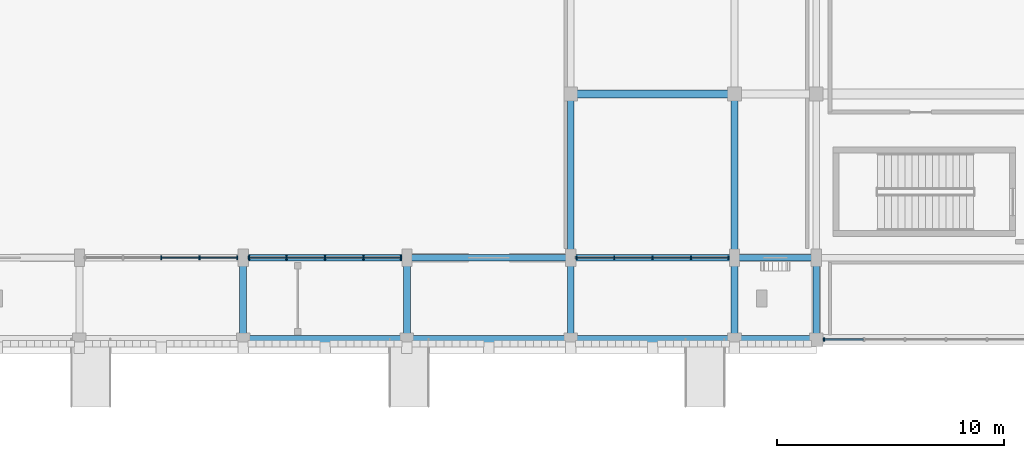
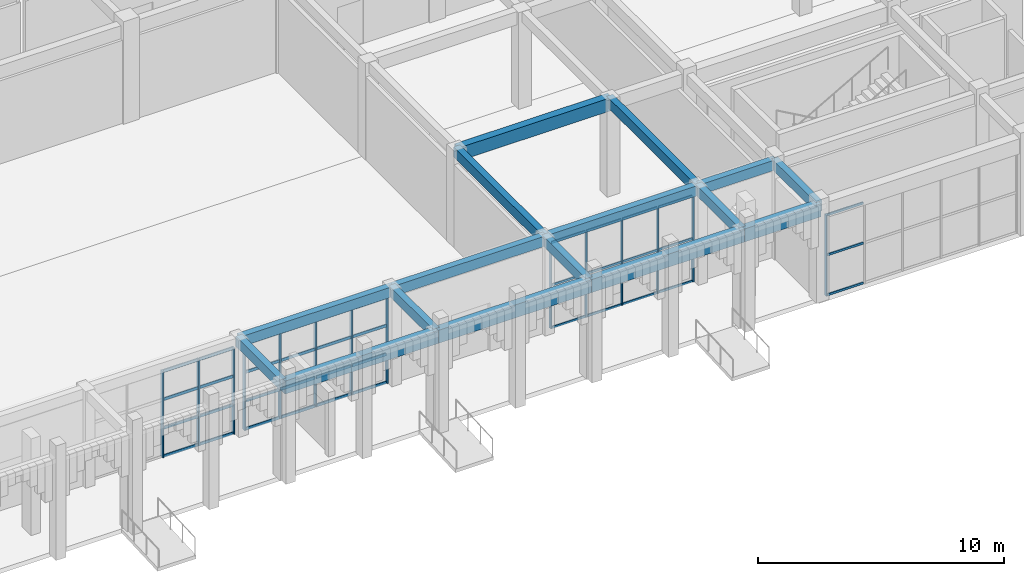
# One storey, part 17 of 72: 53 members, 16 beams, 4 elements without a shape of their own.
"""IFC4 building model written with IfcOpenShell, lengths in metres."""

from ifc_helpers import new_model, si_unit, direction, frame, origin, origin_2d, place, context, subcontext, project, spatial, rectangle, extrude, material, material_profile, profile_set, type_object, element, aggregate, save


model = new_model("IFC4")

# Units and contexts
model_context = context("Model", 3, precision=1e-05, world=origin(), true_north=direction((0.0, 1.0)))
body_context = subcontext(model_context, "Body", "Model", "MODEL_VIEW")
ifc_project = project(units=[si_unit("LENGTHUNIT", "METRE"), si_unit("AREAUNIT", "SQUARE_METRE"), si_unit("VOLUMEUNIT", "CUBIC_METRE"), si_unit("PLANEANGLEUNIT", "RADIAN"), si_unit("MASSUNIT", "GRAM", prefix="KILO")], contexts=[model_context])

# Site, building, storey
site_placement = place(None, origin())
site = spatial("IfcSite", under=ifc_project, at=site_placement, CompositionType="ELEMENT")
building_placement = place(site_placement, origin())
building = spatial("IfcBuilding", under=site, at=building_placement, Name="Nzembalo Square Collegiate School", CompositionType="ELEMENT")
storey_placement = place(building_placement, origin())
storey = spatial("IfcBuildingStorey", under=building, at=storey_placement, Name="L00", CompositionType="ELEMENT", Elevation=0.0)

# Beams
ifc_material_1 = material(Name="Concrete C35/45", Category="concrete")
ifc_material_profile_1 = material_profile(ifc_material_1, rectangle(XDim=0.35009765625, YDim=0.64990234375, at=origin_2d()), Name="RC 350x650")
ifc_profile_set_1 = profile_set([ifc_material_profile_1], Name="Concrete C35/45")
beam_type_1 = type_object("IfcBeamType", Name="B01", PredefinedType="BEAM", material=ifc_profile_set_1)
for number, where, z_axis, x_axis, name in (
    (1, (105.60009765625, 79.199951171875, 4.465087890625), (1.0, 0.0, 0.0), (0.0, 1.0, 0.0), "Beam B01 L00"),
    (2, (112.800048828125, 79.199951171875, 4.465087890625), (1.0, 0.0, 0.0), (0.0, 1.0, 0.0), "Beam B01 L00"),
    (3, (120.0, 79.199951171875, 4.465087890625), (1.0, 0.0, 0.0), (0.0, 1.0, 0.0), "Beam B01 L00"),
):
    element("IfcBeam", number, at=place(storey_placement, frame(where, z_axis=z_axis, x_axis=x_axis)), inside=storey, type_object=beam_type_1, Name=name, PredefinedType="BEAM", context=body_context, shape_type="SweptSolid", body=[
        extrude(rectangle(XDim=0.35009765625, YDim=0.64990234375, at=origin_2d()), origin(), (0.0, 0.0, 1.0), 7.199951171875),
    ])
beam_1_placement = place(storey_placement, frame((127.199951171875, 79.199951171875, 4.465087890625), z_axis=(1.0, 0.0, 0.0), x_axis=(0.0, 1.0, 0.0)))
element("IfcBeam", 4, at=beam_1_placement, inside=storey, type_object=beam_type_1, Name="Beam B01 L00", PredefinedType="BEAM", context=body_context, shape_type="SweptSolid", body=[
    extrude(rectangle(XDim=0.35009765625, YDim=0.64990234375, at=origin_2d()), origin(), (0.0, 0.0, 1.0), 3.60009765625),
])
beam_2_placement = place(storey_placement, frame((120.0, 90.0, 4.465087890625), z_axis=(1.0, 0.0, 0.0), x_axis=(0.0, 1.0, 0.0)))
element("IfcBeam", 5, at=beam_2_placement, inside=storey, type_object=beam_type_1, Name="Beam B01 L00", PredefinedType="BEAM", context=body_context, shape_type="SweptSolid", body=[
    extrude(rectangle(XDim=0.35009765625, YDim=0.64990234375, at=origin_2d()), origin(), (0.0, 0.0, 1.0), 7.199951171875),
])
ifc_material_2 = material(Name="Concrete C35/45", Category="concrete")
ifc_material_profile_2 = material_profile(ifc_material_2, rectangle(XDim=0.300048828125, YDim=0.5, at=origin_2d()), Name="RC 300x500")
ifc_profile_set_2 = profile_set([ifc_material_profile_2], Name="Concrete C35/45")
beam_type_2 = type_object("IfcBeamType", Name="B02", PredefinedType="BEAM", material=ifc_profile_set_2)
for number, where, z_axis, x_axis, name in (
    (6, (105.60009765625, 79.199951171875, 4.5400390625), (0.0, 1.0, 0.0), (-1.0, 0.0, 0.0), "Beam B02 L00"),
    (7, (112.800048828125, 79.199951171875, 4.5400390625), (0.0, 1.0, 0.0), (-1.0, 0.0, 0.0), "Beam B02 L00"),
    (8, (120.0, 79.199951171875, 4.5400390625), (0.0, 1.0, 0.0), (-1.0, 0.0, 0.0), "Beam B02 L00"),
):
    element("IfcBeam", number, at=place(storey_placement, frame(where, z_axis=z_axis, x_axis=x_axis)), inside=storey, type_object=beam_type_2, Name=name, PredefinedType="BEAM", context=body_context, shape_type="SweptSolid", body=[
        extrude(rectangle(XDim=0.300048828125, YDim=0.5, at=origin_2d()), origin(), (0.0, 0.0, 1.0), 3.60009765625),
    ])
beam_3_placement = place(storey_placement, frame((120.0, 82.800048828125, 4.5400390625), z_axis=(0.0, 1.0, 0.0), x_axis=(-1.0, 0.0, 0.0)))
element("IfcBeam", 9, at=beam_3_placement, inside=storey, type_object=beam_type_2, Name="Beam B02 L00", PredefinedType="BEAM", context=body_context, shape_type="SweptSolid", body=[
    extrude(rectangle(XDim=0.300048828125, YDim=0.5, at=origin_2d()), origin(), (0.0, 0.0, 1.0), 7.199951171875),
])
beam_4_placement = place(storey_placement, frame((127.199951171875, 79.199951171875, 4.5400390625), z_axis=(0.0, 1.0, 0.0), x_axis=(-1.0, 0.0, 0.0)))
element("IfcBeam", 10, at=beam_4_placement, inside=storey, type_object=beam_type_2, Name="Beam B02 L00", PredefinedType="BEAM", context=body_context, shape_type="SweptSolid", body=[
    extrude(rectangle(XDim=0.300048828125, YDim=0.5, at=origin_2d()), origin(), (0.0, 0.0, 1.0), 3.60009765625),
])
beam_5_placement = place(storey_placement, frame((127.199951171875, 82.800048828125, 4.5400390625), z_axis=(0.0, 1.0, 0.0), x_axis=(-1.0, 0.0, 0.0)))
element("IfcBeam", 11, at=beam_5_placement, inside=storey, type_object=beam_type_2, Name="Beam B02 L00", PredefinedType="BEAM", context=body_context, shape_type="SweptSolid", body=[
    extrude(rectangle(XDim=0.300048828125, YDim=0.5, at=origin_2d()), origin(), (0.0, 0.0, 1.0), 7.199951171875),
])
ifc_material_3 = material(Name="Concrete C35/45", Category="concrete")
ifc_material_profile_3 = material_profile(ifc_material_3, rectangle(XDim=0.300048828125, YDim=0.5, at=origin_2d()), Name="RC 300x500")
ifc_profile_set_3 = profile_set([ifc_material_profile_3], Name="Concrete C35/45")
beam_type_3 = type_object("IfcBeamType", Name="SP01", PredefinedType="SPANDREL", material=ifc_profile_set_3)
for number, where, z_axis, x_axis, name in (
    (12, (105.60009765625, 82.800048828125, 4.5400390625), (1.0, 0.0, 0.0), (0.0, 1.0, 0.0), "Beam SP01 L00"),
    (13, (112.800048828125, 82.800048828125, 4.5400390625), (1.0, 0.0, 0.0), (0.0, 1.0, 0.0), "Beam SP01 L00"),
    (14, (120.0, 82.800048828125, 4.5400390625), (1.0, 0.0, 0.0), (0.0, 1.0, 0.0), "Beam SP01 L00"),
):
    element("IfcBeam", number, at=place(storey_placement, frame(where, z_axis=z_axis, x_axis=x_axis)), inside=storey, type_object=beam_type_3, Name=name, PredefinedType="SPANDREL", context=body_context, shape_type="SweptSolid", body=[
        extrude(rectangle(XDim=0.300048828125, YDim=0.5, at=origin_2d()), origin(), (0.0, 0.0, 1.0), 7.199951171875),
    ])
for number, where, z_axis, x_axis, name in (
    (15, (127.199951171875, 82.800048828125, 4.5400390625), (1.0, 0.0, 0.0), (0.0, 1.0, 0.0), "Beam SP01 L00"),
    (16, (130.800048828125, 79.199951171875, 4.5400390625), (0.0, 1.0, 0.0), (-1.0, 0.0, 0.0), "Beam SP01 L00"),
):
    element("IfcBeam", number, at=place(storey_placement, frame(where, z_axis=z_axis, x_axis=x_axis)), inside=storey, type_object=beam_type_3, Name=name, PredefinedType="SPANDREL", context=body_context, shape_type="SweptSolid", body=[
        extrude(rectangle(XDim=0.300048828125, YDim=0.5, at=origin_2d()), origin(), (0.0, 0.0, 1.0), 3.60009765625),
    ])

# Curtain wall, members
ifc_material_4 = material(Name="Aluminium 6060-T66", Category="aluminium")
curtain_wall_type_1 = type_object("IfcCurtainWallType", Name="CW-01", PredefinedType="USERDEFINED", material=ifc_material_4)
curtain_wall_1_placement = place(storey_placement, origin())
curtain_wall_1 = element("IfcCurtainWall", 17, at=curtain_wall_1_placement, inside=storey, type_object=curtain_wall_type_1, Name="Curtain wall CW-01 cw:L00:032", ObjectType="UNITISED", PredefinedType="USERDEFINED")
ifc_material_5 = material(Name="Aluminium 6060-T66", Category="aluminium")
ifc_material_profile_4 = material_profile(ifc_material_5, rectangle(XDim=0.06005859375, YDim=0.179931640625, at=origin_2d()), Name="ALU M60x180")
ifc_profile_set_4 = profile_set([ifc_material_profile_4], Name="Aluminium 6060-T66")
member_type_1 = type_object("IfcMemberType", Name="ML01", PredefinedType="MULLION", material=ifc_profile_set_4)
member_1_placement = place(storey_placement, frame((102.0, 82.800048828125, 0.0), z_axis=(0.0, 0.0, 1.0), x_axis=(1.0, 0.0, 0.0)))
member_1 = element("IfcMember", 18, at=member_1_placement, type_object=member_type_1, Name="ML01 mullion 3", PredefinedType="MULLION", context=body_context, shape_type="SweptSolid", body=[
    extrude(rectangle(XDim=0.06005859375, YDim=0.179931640625, at=origin_2d()), origin(), (0.0, 0.0, 1.0), 4.283935546875),
])
member_2_placement = place(storey_placement, frame((103.6865234375, 82.800048828125, 0.0), z_axis=(0.0, 0.0, 1.0), x_axis=(1.0, 0.0, 0.0)))
member_2 = element("IfcMember", 19, at=member_2_placement, type_object=member_type_1, Name="ML01 mullion 4", PredefinedType="MULLION", context=body_context, shape_type="SweptSolid", body=[
    extrude(rectangle(XDim=0.06005859375, YDim=0.179931640625, at=origin_2d()), origin(), (0.0, 0.0, 1.0), 4.283935546875),
])
member_3_placement = place(storey_placement, frame((105.343017578125, 82.800048828125, 0.0), z_axis=(0.0, 0.0, 1.0), x_axis=(1.0, 0.0, 0.0)))
member_3 = element("IfcMember", 20, at=member_3_placement, type_object=member_type_1, Name="ML01 mullion 5", PredefinedType="MULLION", context=body_context, shape_type="SweptSolid", body=[
    extrude(rectangle(XDim=0.06005859375, YDim=0.179931640625, at=origin_2d()), origin(), (0.0, 0.0, 1.0), 4.283935546875),
])

ifc_material_6 = material(Name="Aluminium 6060-T66", Category="aluminium")
curtain_wall_type_2 = type_object("IfcCurtainWallType", Name="CW-02", PredefinedType="USERDEFINED", material=ifc_material_6)
curtain_wall_2_placement = place(storey_placement, origin())
curtain_wall_2 = element("IfcCurtainWall", 21, at=curtain_wall_2_placement, inside=storey, type_object=curtain_wall_type_2, Name="Curtain wall CW-02 cw:L00:033", ObjectType="UNITISED", PredefinedType="USERDEFINED")
member_4_placement = place(storey_placement, frame((105.85693359375, 82.800048828125, 0.0), z_axis=(0.0, 0.0, 1.0), x_axis=(1.0, 0.0, 0.0)))
member_4 = element("IfcMember", 22, at=member_4_placement, type_object=member_type_1, Name="ML01 mullion 1", PredefinedType="MULLION", context=body_context, shape_type="SweptSolid", body=[
    extrude(rectangle(XDim=0.06005859375, YDim=0.179931640625, at=origin_2d()), origin(), (0.0, 0.0, 1.0), 4.283935546875),
])
member_5_placement = place(storey_placement, frame((107.513427734375, 82.800048828125, 0.0), z_axis=(0.0, 0.0, 1.0), x_axis=(1.0, 0.0, 0.0)))
member_5 = element("IfcMember", 23, at=member_5_placement, type_object=member_type_1, Name="ML01 mullion 2", PredefinedType="MULLION", context=body_context, shape_type="SweptSolid", body=[
    extrude(rectangle(XDim=0.06005859375, YDim=0.179931640625, at=origin_2d()), origin(), (0.0, 0.0, 1.0), 4.283935546875),
])
member_6_placement = place(storey_placement, frame((109.199951171875, 82.800048828125, 0.0), z_axis=(0.0, 0.0, 1.0), x_axis=(1.0, 0.0, 0.0)))
member_6 = element("IfcMember", 24, at=member_6_placement, type_object=member_type_1, Name="ML01 mullion 3", PredefinedType="MULLION", context=body_context, shape_type="SweptSolid", body=[
    extrude(rectangle(XDim=0.06005859375, YDim=0.179931640625, at=origin_2d()), origin(), (0.0, 0.0, 1.0), 4.283935546875),
])
member_7_placement = place(storey_placement, frame((110.886474609375, 82.800048828125, 0.0), z_axis=(0.0, 0.0, 1.0), x_axis=(1.0, 0.0, 0.0)))
member_7 = element("IfcMember", 25, at=member_7_placement, type_object=member_type_1, Name="ML01 mullion 4", PredefinedType="MULLION", context=body_context, shape_type="SweptSolid", body=[
    extrude(rectangle(XDim=0.06005859375, YDim=0.179931640625, at=origin_2d()), origin(), (0.0, 0.0, 1.0), 4.283935546875),
])
member_8_placement = place(storey_placement, frame((112.54296875, 82.800048828125, 0.0), z_axis=(0.0, 0.0, 1.0), x_axis=(1.0, 0.0, 0.0)))
member_8 = element("IfcMember", 26, at=member_8_placement, type_object=member_type_1, Name="ML01 mullion 5", PredefinedType="MULLION", context=body_context, shape_type="SweptSolid", body=[
    extrude(rectangle(XDim=0.06005859375, YDim=0.179931640625, at=origin_2d()), origin(), (0.0, 0.0, 1.0), 4.283935546875),
])

# Curtain wall, member
ifc_material_7 = material(Name="Aluminium 6060-T66", Category="aluminium")
curtain_wall_type_3 = type_object("IfcCurtainWallType", Name="CW-11", PredefinedType="USERDEFINED", material=ifc_material_7)
curtain_wall_3_placement = place(storey_placement, origin())
curtain_wall_3 = element("IfcCurtainWall", 27, at=curtain_wall_3_placement, inside=storey, type_object=curtain_wall_type_3, Name="Curtain wall CW-11 cw:L00:022", ObjectType="LANCET", PredefinedType="USERDEFINED")
ifc_material_8 = material(Name="Aluminium 6060-T66", Category="aluminium")
ifc_material_profile_5 = material_profile(ifc_material_8, rectangle(XDim=0.06005859375, YDim=0.14990234375, at=origin_2d()), Name="ALU M60x150")
ifc_profile_set_5 = profile_set([ifc_material_profile_5], Name="Aluminium 6060-T66")
member_type_2 = type_object("IfcMemberType", Name="ML02", PredefinedType="MULLION", material=ifc_profile_set_5)
member_9_placement = place(storey_placement, frame((131.132080078125, 79.199951171875, 0.0), z_axis=(0.0, 0.0, 1.0), x_axis=(1.0, 0.0, 0.0)))
member_9 = element("IfcMember", 28, at=member_9_placement, type_object=member_type_2, Name="ML02 mullion 1", PredefinedType="MULLION", context=body_context, shape_type="SweptSolid", body=[
    extrude(rectangle(XDim=0.06005859375, YDim=0.14990234375, at=origin_2d()), origin(), (0.0, 0.0, 1.0), 4.033935546875),
])

# Curtain wall, members
ifc_material_9 = material(Name="Aluminium 6060-T66", Category="aluminium")
curtain_wall_type_4 = type_object("IfcCurtainWallType", Name="CW-03", PredefinedType="USERDEFINED", material=ifc_material_9)
curtain_wall_4_placement = place(storey_placement, origin())
curtain_wall_4 = element("IfcCurtainWall", 29, at=curtain_wall_4_placement, inside=storey, type_object=curtain_wall_type_4, Name="Curtain wall CW-03 cw:L00:034", ObjectType="UNITISED", PredefinedType="USERDEFINED")
member_10_placement = place(storey_placement, frame((120.257080078125, 82.800048828125, 0.0), z_axis=(0.0, 0.0, 1.0), x_axis=(1.0, 0.0, 0.0)))
member_10 = element("IfcMember", 30, at=member_10_placement, type_object=member_type_2, Name="ML02 mullion 1", PredefinedType="MULLION", context=body_context, shape_type="SweptSolid", body=[
    extrude(rectangle(XDim=0.06005859375, YDim=0.14990234375, at=origin_2d()), origin(), (0.0, 0.0, 1.0), 4.283935546875),
])
member_11_placement = place(storey_placement, frame((121.91357421875, 82.800048828125, 0.0), z_axis=(0.0, 0.0, 1.0), x_axis=(1.0, 0.0, 0.0)))
member_11 = element("IfcMember", 31, at=member_11_placement, type_object=member_type_2, Name="ML02 mullion 2", PredefinedType="MULLION", context=body_context, shape_type="SweptSolid", body=[
    extrude(rectangle(XDim=0.06005859375, YDim=0.14990234375, at=origin_2d()), origin(), (0.0, 0.0, 1.0), 4.283935546875),
])
member_12_placement = place(storey_placement, frame((123.60009765625, 82.800048828125, 0.0), z_axis=(0.0, 0.0, 1.0), x_axis=(1.0, 0.0, 0.0)))
member_12 = element("IfcMember", 32, at=member_12_placement, type_object=member_type_2, Name="ML02 mullion 3", PredefinedType="MULLION", context=body_context, shape_type="SweptSolid", body=[
    extrude(rectangle(XDim=0.06005859375, YDim=0.14990234375, at=origin_2d()), origin(), (0.0, 0.0, 1.0), 4.283935546875),
])
member_13_placement = place(storey_placement, frame((125.28662109375, 82.800048828125, 0.0), z_axis=(0.0, 0.0, 1.0), x_axis=(1.0, 0.0, 0.0)))
member_13 = element("IfcMember", 33, at=member_13_placement, type_object=member_type_2, Name="ML02 mullion 4", PredefinedType="MULLION", context=body_context, shape_type="SweptSolid", body=[
    extrude(rectangle(XDim=0.06005859375, YDim=0.14990234375, at=origin_2d()), origin(), (0.0, 0.0, 1.0), 4.283935546875),
])
member_14_placement = place(storey_placement, frame((126.943115234375, 82.800048828125, 0.0), z_axis=(0.0, 0.0, 1.0), x_axis=(1.0, 0.0, 0.0)))
member_14 = element("IfcMember", 34, at=member_14_placement, type_object=member_type_2, Name="ML02 mullion 5", PredefinedType="MULLION", context=body_context, shape_type="SweptSolid", body=[
    extrude(rectangle(XDim=0.06005859375, YDim=0.14990234375, at=origin_2d()), origin(), (0.0, 0.0, 1.0), 4.283935546875),
])

# Member
ifc_material_10 = material(Name="Aluminium 6060-T66", Category="aluminium")
ifc_material_profile_6 = material_profile(ifc_material_10, rectangle(XDim=0.06005859375, YDim=0.139892578125, at=origin_2d()), Name="ALU T60x140")
ifc_profile_set_6 = profile_set([ifc_material_profile_6], Name="Aluminium 6060-T66")
member_type_3 = type_object("IfcMemberType", Name="TR01", PredefinedType="USERDEFINED", material=ifc_profile_set_6)
member_15_placement = place(storey_placement, frame((102.030029296875, 82.800048828125, 0.030029296875), z_axis=(1.0, 0.0, 0.0), x_axis=(0.0, 1.0, 0.0)))
member_15 = element("IfcMember", 35, at=member_15_placement, type_object=member_type_3, Name="TR01 transom 1-3", ObjectType="TRANSOM", PredefinedType="USERDEFINED", context=body_context, shape_type="SweptSolid", body=[
    extrude(rectangle(XDim=0.06005859375, YDim=0.139892578125, at=origin_2d()), origin(), (0.0, 0.0, 1.0), 1.62646484375),
])

member_16_placement = place(storey_placement, frame((103.716552734375, 82.800048828125, 0.030029296875), z_axis=(1.0, 0.0, 0.0), x_axis=(0.0, 1.0, 0.0)))
member_16 = element("IfcMember", 36, at=member_16_placement, type_object=member_type_3, Name="TR01 transom 1-4", ObjectType="TRANSOM", PredefinedType="USERDEFINED", context=body_context, shape_type="SweptSolid", body=[
    extrude(rectangle(XDim=0.06005859375, YDim=0.139892578125, at=origin_2d()), origin(), (0.0, 0.0, 1.0), 1.596435546875),
])

member_17_placement = place(storey_placement, frame((102.030029296875, 82.800048828125, 1.427978515625), z_axis=(1.0, 0.0, 0.0), x_axis=(0.0, 1.0, 0.0)))
member_17 = element("IfcMember", 37, at=member_17_placement, type_object=member_type_3, Name="TR01 transom 2-3", ObjectType="TRANSOM", PredefinedType="USERDEFINED", context=body_context, shape_type="SweptSolid", body=[
    extrude(rectangle(XDim=0.06005859375, YDim=0.139892578125, at=origin_2d()), origin(), (0.0, 0.0, 1.0), 1.62646484375),
])

member_18_placement = place(storey_placement, frame((103.716552734375, 82.800048828125, 1.427978515625), z_axis=(1.0, 0.0, 0.0), x_axis=(0.0, 1.0, 0.0)))
member_18 = element("IfcMember", 38, at=member_18_placement, type_object=member_type_3, Name="TR01 transom 2-4", ObjectType="TRANSOM", PredefinedType="USERDEFINED", context=body_context, shape_type="SweptSolid", body=[
    extrude(rectangle(XDim=0.06005859375, YDim=0.139892578125, at=origin_2d()), origin(), (0.0, 0.0, 1.0), 1.596435546875),
])

member_19_placement = place(storey_placement, frame((102.030029296875, 82.800048828125, 2.85595703125), z_axis=(1.0, 0.0, 0.0), x_axis=(0.0, 1.0, 0.0)))
member_19 = element("IfcMember", 39, at=member_19_placement, type_object=member_type_3, Name="TR01 transom 3-3", ObjectType="TRANSOM", PredefinedType="USERDEFINED", context=body_context, shape_type="SweptSolid", body=[
    extrude(rectangle(XDim=0.06005859375, YDim=0.139892578125, at=origin_2d()), origin(), (0.0, 0.0, 1.0), 1.62646484375),
])

member_20_placement = place(storey_placement, frame((103.716552734375, 82.800048828125, 2.85595703125), z_axis=(1.0, 0.0, 0.0), x_axis=(0.0, 1.0, 0.0)))
member_20 = element("IfcMember", 40, at=member_20_placement, type_object=member_type_3, Name="TR01 transom 3-4", ObjectType="TRANSOM", PredefinedType="USERDEFINED", context=body_context, shape_type="SweptSolid", body=[
    extrude(rectangle(XDim=0.06005859375, YDim=0.139892578125, at=origin_2d()), origin(), (0.0, 0.0, 1.0), 1.596435546875),
])

member_21_placement = place(storey_placement, frame((102.030029296875, 82.800048828125, 4.25390625), z_axis=(1.0, 0.0, 0.0), x_axis=(0.0, 1.0, 0.0)))
member_21 = element("IfcMember", 41, at=member_21_placement, type_object=member_type_3, Name="TR01 transom 4-3", ObjectType="TRANSOM", PredefinedType="USERDEFINED", context=body_context, shape_type="SweptSolid", body=[
    extrude(rectangle(XDim=0.06005859375, YDim=0.139892578125, at=origin_2d()), origin(), (0.0, 0.0, 1.0), 1.62646484375),
])

member_22_placement = place(storey_placement, frame((103.716552734375, 82.800048828125, 4.25390625), z_axis=(1.0, 0.0, 0.0), x_axis=(0.0, 1.0, 0.0)))
member_22 = element("IfcMember", 42, at=member_22_placement, type_object=member_type_3, Name="TR01 transom 4-4", ObjectType="TRANSOM", PredefinedType="USERDEFINED", context=body_context, shape_type="SweptSolid", body=[
    extrude(rectangle(XDim=0.06005859375, YDim=0.139892578125, at=origin_2d()), origin(), (0.0, 0.0, 1.0), 1.596435546875),
])

aggregate(curtain_wall_1, [member_1, member_2, member_3, member_15, member_16, member_17, member_18, member_19, member_20, member_21, member_22])

member_23_placement = place(storey_placement, frame((105.886962890625, 82.800048828125, 0.030029296875), z_axis=(1.0, 0.0, 0.0), x_axis=(0.0, 1.0, 0.0)))
member_23 = element("IfcMember", 43, at=member_23_placement, type_object=member_type_3, Name="TR01 transom 1-1", ObjectType="TRANSOM", PredefinedType="USERDEFINED", context=body_context, shape_type="SweptSolid", body=[
    extrude(rectangle(XDim=0.06005859375, YDim=0.139892578125, at=origin_2d()), origin(), (0.0, 0.0, 1.0), 1.596435546875),
])

member_24_placement = place(storey_placement, frame((107.54345703125, 82.800048828125, 0.030029296875), z_axis=(1.0, 0.0, 0.0), x_axis=(0.0, 1.0, 0.0)))
member_24 = element("IfcMember", 44, at=member_24_placement, type_object=member_type_3, Name="TR01 transom 1-2", ObjectType="TRANSOM", PredefinedType="USERDEFINED", context=body_context, shape_type="SweptSolid", body=[
    extrude(rectangle(XDim=0.06005859375, YDim=0.139892578125, at=origin_2d()), origin(), (0.0, 0.0, 1.0), 1.62646484375),
])

member_25_placement = place(storey_placement, frame((109.22998046875, 82.800048828125, 0.030029296875), z_axis=(1.0, 0.0, 0.0), x_axis=(0.0, 1.0, 0.0)))
member_25 = element("IfcMember", 45, at=member_25_placement, type_object=member_type_3, Name="TR01 transom 1-3", ObjectType="TRANSOM", PredefinedType="USERDEFINED", context=body_context, shape_type="SweptSolid", body=[
    extrude(rectangle(XDim=0.06005859375, YDim=0.139892578125, at=origin_2d()), origin(), (0.0, 0.0, 1.0), 1.62646484375),
])

member_26_placement = place(storey_placement, frame((110.91650390625, 82.800048828125, 0.030029296875), z_axis=(1.0, 0.0, 0.0), x_axis=(0.0, 1.0, 0.0)))
member_26 = element("IfcMember", 46, at=member_26_placement, type_object=member_type_3, Name="TR01 transom 1-4", ObjectType="TRANSOM", PredefinedType="USERDEFINED", context=body_context, shape_type="SweptSolid", body=[
    extrude(rectangle(XDim=0.06005859375, YDim=0.139892578125, at=origin_2d()), origin(), (0.0, 0.0, 1.0), 1.596435546875),
])

member_27_placement = place(storey_placement, frame((105.886962890625, 82.800048828125, 1.427978515625), z_axis=(1.0, 0.0, 0.0), x_axis=(0.0, 1.0, 0.0)))
member_27 = element("IfcMember", 47, at=member_27_placement, type_object=member_type_3, Name="TR01 transom 2-1", ObjectType="TRANSOM", PredefinedType="USERDEFINED", context=body_context, shape_type="SweptSolid", body=[
    extrude(rectangle(XDim=0.06005859375, YDim=0.139892578125, at=origin_2d()), origin(), (0.0, 0.0, 1.0), 1.596435546875),
])

member_28_placement = place(storey_placement, frame((107.54345703125, 82.800048828125, 1.427978515625), z_axis=(1.0, 0.0, 0.0), x_axis=(0.0, 1.0, 0.0)))
member_28 = element("IfcMember", 48, at=member_28_placement, type_object=member_type_3, Name="TR01 transom 2-2", ObjectType="TRANSOM", PredefinedType="USERDEFINED", context=body_context, shape_type="SweptSolid", body=[
    extrude(rectangle(XDim=0.06005859375, YDim=0.139892578125, at=origin_2d()), origin(), (0.0, 0.0, 1.0), 1.62646484375),
])

member_29_placement = place(storey_placement, frame((109.22998046875, 82.800048828125, 1.427978515625), z_axis=(1.0, 0.0, 0.0), x_axis=(0.0, 1.0, 0.0)))
member_29 = element("IfcMember", 49, at=member_29_placement, type_object=member_type_3, Name="TR01 transom 2-3", ObjectType="TRANSOM", PredefinedType="USERDEFINED", context=body_context, shape_type="SweptSolid", body=[
    extrude(rectangle(XDim=0.06005859375, YDim=0.139892578125, at=origin_2d()), origin(), (0.0, 0.0, 1.0), 1.62646484375),
])

member_30_placement = place(storey_placement, frame((110.91650390625, 82.800048828125, 1.427978515625), z_axis=(1.0, 0.0, 0.0), x_axis=(0.0, 1.0, 0.0)))
member_30 = element("IfcMember", 50, at=member_30_placement, type_object=member_type_3, Name="TR01 transom 2-4", ObjectType="TRANSOM", PredefinedType="USERDEFINED", context=body_context, shape_type="SweptSolid", body=[
    extrude(rectangle(XDim=0.06005859375, YDim=0.139892578125, at=origin_2d()), origin(), (0.0, 0.0, 1.0), 1.596435546875),
])

member_31_placement = place(storey_placement, frame((105.886962890625, 82.800048828125, 2.85595703125), z_axis=(1.0, 0.0, 0.0), x_axis=(0.0, 1.0, 0.0)))
member_31 = element("IfcMember", 51, at=member_31_placement, type_object=member_type_3, Name="TR01 transom 3-1", ObjectType="TRANSOM", PredefinedType="USERDEFINED", context=body_context, shape_type="SweptSolid", body=[
    extrude(rectangle(XDim=0.06005859375, YDim=0.139892578125, at=origin_2d()), origin(), (0.0, 0.0, 1.0), 1.596435546875),
])

member_32_placement = place(storey_placement, frame((107.54345703125, 82.800048828125, 2.85595703125), z_axis=(1.0, 0.0, 0.0), x_axis=(0.0, 1.0, 0.0)))
member_32 = element("IfcMember", 52, at=member_32_placement, type_object=member_type_3, Name="TR01 transom 3-2", ObjectType="TRANSOM", PredefinedType="USERDEFINED", context=body_context, shape_type="SweptSolid", body=[
    extrude(rectangle(XDim=0.06005859375, YDim=0.139892578125, at=origin_2d()), origin(), (0.0, 0.0, 1.0), 1.62646484375),
])

member_33_placement = place(storey_placement, frame((109.22998046875, 82.800048828125, 2.85595703125), z_axis=(1.0, 0.0, 0.0), x_axis=(0.0, 1.0, 0.0)))
member_33 = element("IfcMember", 53, at=member_33_placement, type_object=member_type_3, Name="TR01 transom 3-3", ObjectType="TRANSOM", PredefinedType="USERDEFINED", context=body_context, shape_type="SweptSolid", body=[
    extrude(rectangle(XDim=0.06005859375, YDim=0.139892578125, at=origin_2d()), origin(), (0.0, 0.0, 1.0), 1.62646484375),
])

member_34_placement = place(storey_placement, frame((110.91650390625, 82.800048828125, 2.85595703125), z_axis=(1.0, 0.0, 0.0), x_axis=(0.0, 1.0, 0.0)))
member_34 = element("IfcMember", 54, at=member_34_placement, type_object=member_type_3, Name="TR01 transom 3-4", ObjectType="TRANSOM", PredefinedType="USERDEFINED", context=body_context, shape_type="SweptSolid", body=[
    extrude(rectangle(XDim=0.06005859375, YDim=0.139892578125, at=origin_2d()), origin(), (0.0, 0.0, 1.0), 1.596435546875),
])

member_35_placement = place(storey_placement, frame((105.886962890625, 82.800048828125, 4.25390625), z_axis=(1.0, 0.0, 0.0), x_axis=(0.0, 1.0, 0.0)))
member_35 = element("IfcMember", 55, at=member_35_placement, type_object=member_type_3, Name="TR01 transom 4-1", ObjectType="TRANSOM", PredefinedType="USERDEFINED", context=body_context, shape_type="SweptSolid", body=[
    extrude(rectangle(XDim=0.06005859375, YDim=0.139892578125, at=origin_2d()), origin(), (0.0, 0.0, 1.0), 1.596435546875),
])

member_36_placement = place(storey_placement, frame((107.54345703125, 82.800048828125, 4.25390625), z_axis=(1.0, 0.0, 0.0), x_axis=(0.0, 1.0, 0.0)))
member_36 = element("IfcMember", 56, at=member_36_placement, type_object=member_type_3, Name="TR01 transom 4-2", ObjectType="TRANSOM", PredefinedType="USERDEFINED", context=body_context, shape_type="SweptSolid", body=[
    extrude(rectangle(XDim=0.06005859375, YDim=0.139892578125, at=origin_2d()), origin(), (0.0, 0.0, 1.0), 1.62646484375),
])

member_37_placement = place(storey_placement, frame((109.22998046875, 82.800048828125, 4.25390625), z_axis=(1.0, 0.0, 0.0), x_axis=(0.0, 1.0, 0.0)))
member_37 = element("IfcMember", 57, at=member_37_placement, type_object=member_type_3, Name="TR01 transom 4-3", ObjectType="TRANSOM", PredefinedType="USERDEFINED", context=body_context, shape_type="SweptSolid", body=[
    extrude(rectangle(XDim=0.06005859375, YDim=0.139892578125, at=origin_2d()), origin(), (0.0, 0.0, 1.0), 1.62646484375),
])

member_38_placement = place(storey_placement, frame((110.91650390625, 82.800048828125, 4.25390625), z_axis=(1.0, 0.0, 0.0), x_axis=(0.0, 1.0, 0.0)))
member_38 = element("IfcMember", 58, at=member_38_placement, type_object=member_type_3, Name="TR01 transom 4-4", ObjectType="TRANSOM", PredefinedType="USERDEFINED", context=body_context, shape_type="SweptSolid", body=[
    extrude(rectangle(XDim=0.06005859375, YDim=0.139892578125, at=origin_2d()), origin(), (0.0, 0.0, 1.0), 1.596435546875),
])

aggregate(curtain_wall_2, [member_4, member_5, member_6, member_7, member_8, member_23, member_24, member_25, member_26, member_27, member_28, member_29, member_30, member_31, member_32, member_33, member_34, member_35, member_36, member_37, member_38])

ifc_material_11 = material(Name="Aluminium 6060-T66", Category="aluminium")
ifc_material_profile_7 = material_profile(ifc_material_11, rectangle(XDim=0.06005859375, YDim=0.110107421875, at=origin_2d()), Name="ALU T60x110")
ifc_profile_set_7 = profile_set([ifc_material_profile_7], Name="Aluminium 6060-T66")
member_type_4 = type_object("IfcMemberType", Name="TR02", PredefinedType="USERDEFINED", material=ifc_profile_set_7)
member_39_placement = place(storey_placement, frame((131.162109375, 79.199951171875, 0.030029296875), z_axis=(1.0, 0.0, 0.0), x_axis=(0.0, 1.0, 0.0)))
member_39 = element("IfcMember", 59, at=member_39_placement, type_object=member_type_4, Name="TR02 transom 1-1", ObjectType="TRANSOM", PredefinedType="USERDEFINED", context=body_context, shape_type="SweptSolid", body=[
    extrude(rectangle(XDim=0.06005859375, YDim=0.110107421875, at=origin_2d()), origin(), (0.0, 0.0, 1.0), 1.708984375),
])

member_40_placement = place(storey_placement, frame((131.162109375, 79.199951171875, 2.01708984375), z_axis=(1.0, 0.0, 0.0), x_axis=(0.0, 1.0, 0.0)))
member_40 = element("IfcMember", 60, at=member_40_placement, type_object=member_type_4, Name="TR02 transom 2-1", ObjectType="TRANSOM", PredefinedType="USERDEFINED", context=body_context, shape_type="SweptSolid", body=[
    extrude(rectangle(XDim=0.06005859375, YDim=0.110107421875, at=origin_2d()), origin(), (0.0, 0.0, 1.0), 1.708984375),
])

member_41_placement = place(storey_placement, frame((131.162109375, 79.199951171875, 4.00390625), z_axis=(1.0, 0.0, 0.0), x_axis=(0.0, 1.0, 0.0)))
member_41 = element("IfcMember", 61, at=member_41_placement, type_object=member_type_4, Name="TR02 transom 3-1", ObjectType="TRANSOM", PredefinedType="USERDEFINED", context=body_context, shape_type="SweptSolid", body=[
    extrude(rectangle(XDim=0.06005859375, YDim=0.110107421875, at=origin_2d()), origin(), (0.0, 0.0, 1.0), 1.708984375),
])

aggregate(curtain_wall_3, [member_9, member_39, member_40, member_41])

member_42_placement = place(storey_placement, frame((120.287109375, 82.800048828125, 0.030029296875), z_axis=(1.0, 0.0, 0.0), x_axis=(0.0, 1.0, 0.0)))
member_42 = element("IfcMember", 62, at=member_42_placement, type_object=member_type_4, Name="TR02 transom 1-1", ObjectType="TRANSOM", PredefinedType="USERDEFINED", context=body_context, shape_type="SweptSolid", body=[
    extrude(rectangle(XDim=0.06005859375, YDim=0.110107421875, at=origin_2d()), origin(), (0.0, 0.0, 1.0), 1.596435546875),
])

member_43_placement = place(storey_placement, frame((121.943603515625, 82.800048828125, 0.030029296875), z_axis=(1.0, 0.0, 0.0), x_axis=(0.0, 1.0, 0.0)))
member_43 = element("IfcMember", 63, at=member_43_placement, type_object=member_type_4, Name="TR02 transom 1-2", ObjectType="TRANSOM", PredefinedType="USERDEFINED", context=body_context, shape_type="SweptSolid", body=[
    extrude(rectangle(XDim=0.06005859375, YDim=0.110107421875, at=origin_2d()), origin(), (0.0, 0.0, 1.0), 1.62646484375),
])

member_44_placement = place(storey_placement, frame((123.6298828125, 82.800048828125, 0.030029296875), z_axis=(1.0, 0.0, 0.0), x_axis=(0.0, 1.0, 0.0)))
member_44 = element("IfcMember", 64, at=member_44_placement, type_object=member_type_4, Name="TR02 transom 1-3", ObjectType="TRANSOM", PredefinedType="USERDEFINED", context=body_context, shape_type="SweptSolid", body=[
    extrude(rectangle(XDim=0.06005859375, YDim=0.110107421875, at=origin_2d()), origin(), (0.0, 0.0, 1.0), 1.626708984375),
])

member_45_placement = place(storey_placement, frame((125.31640625, 82.800048828125, 0.030029296875), z_axis=(1.0, 0.0, 0.0), x_axis=(0.0, 1.0, 0.0)))
member_45 = element("IfcMember", 65, at=member_45_placement, type_object=member_type_4, Name="TR02 transom 1-4", ObjectType="TRANSOM", PredefinedType="USERDEFINED", context=body_context, shape_type="SweptSolid", body=[
    extrude(rectangle(XDim=0.06005859375, YDim=0.110107421875, at=origin_2d()), origin(), (0.0, 0.0, 1.0), 1.5966796875),
])

member_46_placement = place(storey_placement, frame((120.287109375, 82.800048828125, 2.14208984375), z_axis=(1.0, 0.0, 0.0), x_axis=(0.0, 1.0, 0.0)))
member_46 = element("IfcMember", 66, at=member_46_placement, type_object=member_type_4, Name="TR02 transom 2-1", ObjectType="TRANSOM", PredefinedType="USERDEFINED", context=body_context, shape_type="SweptSolid", body=[
    extrude(rectangle(XDim=0.06005859375, YDim=0.110107421875, at=origin_2d()), origin(), (0.0, 0.0, 1.0), 1.596435546875),
])

member_47_placement = place(storey_placement, frame((121.943603515625, 82.800048828125, 2.14208984375), z_axis=(1.0, 0.0, 0.0), x_axis=(0.0, 1.0, 0.0)))
member_47 = element("IfcMember", 67, at=member_47_placement, type_object=member_type_4, Name="TR02 transom 2-2", ObjectType="TRANSOM", PredefinedType="USERDEFINED", context=body_context, shape_type="SweptSolid", body=[
    extrude(rectangle(XDim=0.06005859375, YDim=0.110107421875, at=origin_2d()), origin(), (0.0, 0.0, 1.0), 1.62646484375),
])

member_48_placement = place(storey_placement, frame((123.6298828125, 82.800048828125, 2.14208984375), z_axis=(1.0, 0.0, 0.0), x_axis=(0.0, 1.0, 0.0)))
member_48 = element("IfcMember", 68, at=member_48_placement, type_object=member_type_4, Name="TR02 transom 2-3", ObjectType="TRANSOM", PredefinedType="USERDEFINED", context=body_context, shape_type="SweptSolid", body=[
    extrude(rectangle(XDim=0.06005859375, YDim=0.110107421875, at=origin_2d()), origin(), (0.0, 0.0, 1.0), 1.626708984375),
])

member_49_placement = place(storey_placement, frame((125.31640625, 82.800048828125, 2.14208984375), z_axis=(1.0, 0.0, 0.0), x_axis=(0.0, 1.0, 0.0)))
member_49 = element("IfcMember", 69, at=member_49_placement, type_object=member_type_4, Name="TR02 transom 2-4", ObjectType="TRANSOM", PredefinedType="USERDEFINED", context=body_context, shape_type="SweptSolid", body=[
    extrude(rectangle(XDim=0.06005859375, YDim=0.110107421875, at=origin_2d()), origin(), (0.0, 0.0, 1.0), 1.5966796875),
])

member_50_placement = place(storey_placement, frame((120.287109375, 82.800048828125, 4.25390625), z_axis=(1.0, 0.0, 0.0), x_axis=(0.0, 1.0, 0.0)))
member_50 = element("IfcMember", 70, at=member_50_placement, type_object=member_type_4, Name="TR02 transom 3-1", ObjectType="TRANSOM", PredefinedType="USERDEFINED", context=body_context, shape_type="SweptSolid", body=[
    extrude(rectangle(XDim=0.06005859375, YDim=0.110107421875, at=origin_2d()), origin(), (0.0, 0.0, 1.0), 1.596435546875),
])

member_51_placement = place(storey_placement, frame((121.943603515625, 82.800048828125, 4.25390625), z_axis=(1.0, 0.0, 0.0), x_axis=(0.0, 1.0, 0.0)))
member_51 = element("IfcMember", 71, at=member_51_placement, type_object=member_type_4, Name="TR02 transom 3-2", ObjectType="TRANSOM", PredefinedType="USERDEFINED", context=body_context, shape_type="SweptSolid", body=[
    extrude(rectangle(XDim=0.06005859375, YDim=0.110107421875, at=origin_2d()), origin(), (0.0, 0.0, 1.0), 1.62646484375),
])

member_52_placement = place(storey_placement, frame((123.6298828125, 82.800048828125, 4.25390625), z_axis=(1.0, 0.0, 0.0), x_axis=(0.0, 1.0, 0.0)))
member_52 = element("IfcMember", 72, at=member_52_placement, type_object=member_type_4, Name="TR02 transom 3-3", ObjectType="TRANSOM", PredefinedType="USERDEFINED", context=body_context, shape_type="SweptSolid", body=[
    extrude(rectangle(XDim=0.06005859375, YDim=0.110107421875, at=origin_2d()), origin(), (0.0, 0.0, 1.0), 1.626708984375),
])

member_53_placement = place(storey_placement, frame((125.31640625, 82.800048828125, 4.25390625), z_axis=(1.0, 0.0, 0.0), x_axis=(0.0, 1.0, 0.0)))
member_53 = element("IfcMember", 73, at=member_53_placement, type_object=member_type_4, Name="TR02 transom 3-4", ObjectType="TRANSOM", PredefinedType="USERDEFINED", context=body_context, shape_type="SweptSolid", body=[
    extrude(rectangle(XDim=0.06005859375, YDim=0.110107421875, at=origin_2d()), origin(), (0.0, 0.0, 1.0), 1.5966796875),
])

aggregate(curtain_wall_4, [member_10, member_11, member_12, member_13, member_14, member_42, member_43, member_44, member_45, member_46, member_47, member_48, member_49, member_50, member_51, member_52, member_53])

save(model, "model.ifc")
